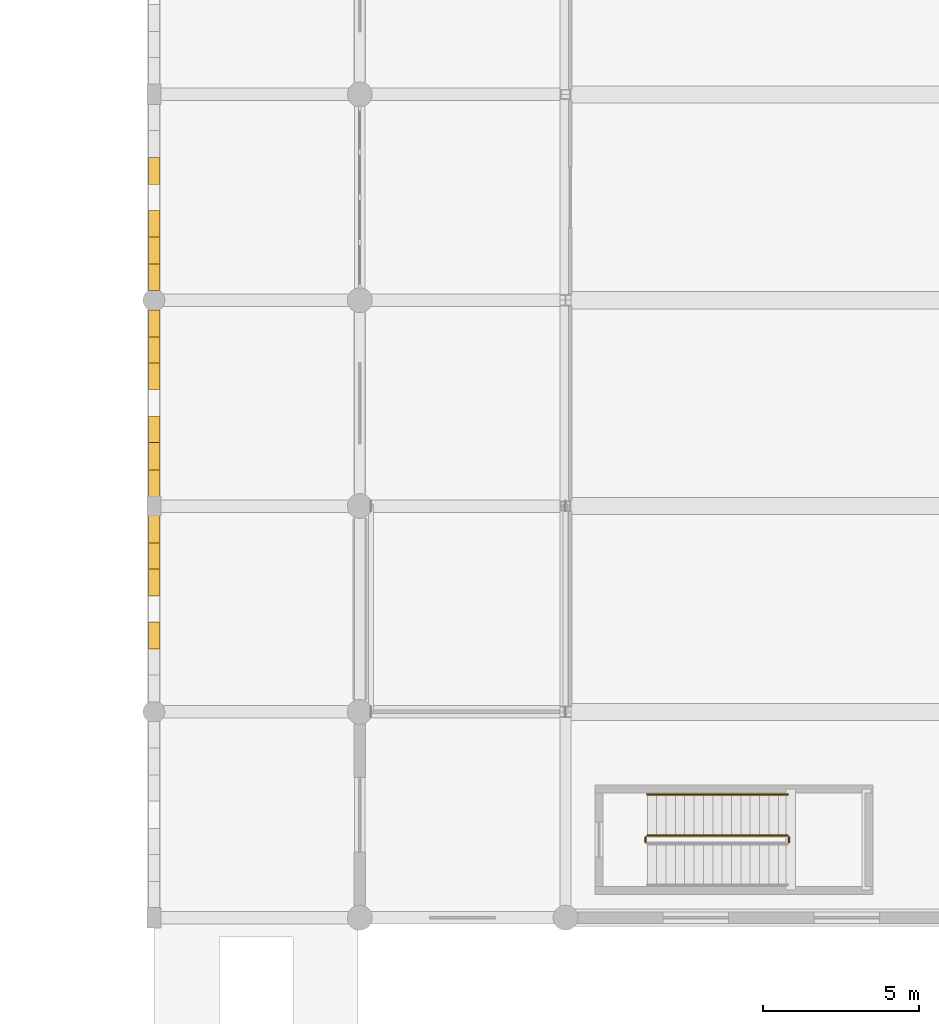
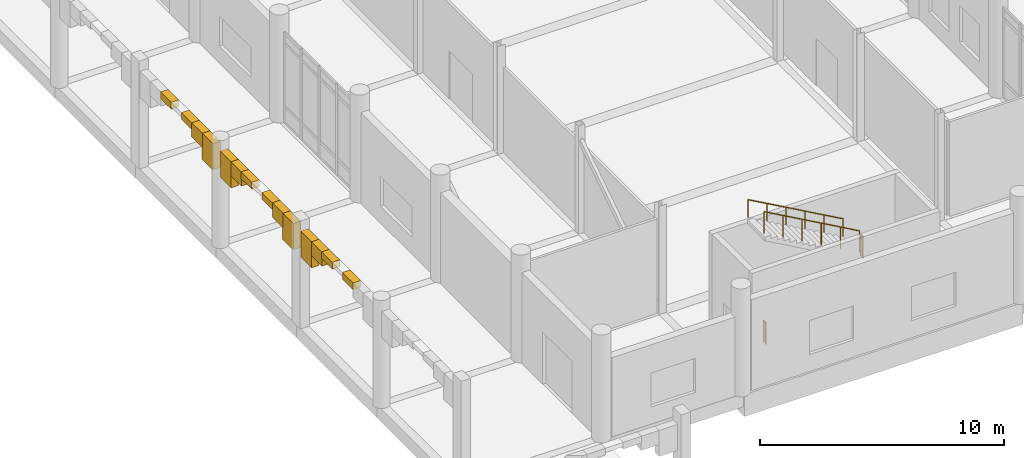
# One storey, part 60 of 72: 14 coverings, 4 railings.
"""IFC4 building model written with IfcOpenShell, lengths in metres."""

from ifc_helpers import new_model, si_unit, direction, frame, origin, origin_2d, place, context, subcontext, project, spatial, rectangle, circle, extrude, material, layer, layer_set, type_object, element, save


model = new_model("IFC4")

# Units and contexts
model_context = context("Model", 3, precision=1e-05, world=origin(), true_north=direction((0.0, 1.0)))
body_context = subcontext(model_context, "Body", "Model", "MODEL_VIEW")
ifc_project = project(units=[si_unit("LENGTHUNIT", "METRE"), si_unit("AREAUNIT", "SQUARE_METRE"), si_unit("VOLUMEUNIT", "CUBIC_METRE"), si_unit("PLANEANGLEUNIT", "RADIAN"), si_unit("MASSUNIT", "GRAM", prefix="KILO")], contexts=[model_context])

# Site, building, storey
site_placement = place(None, origin())
site = spatial("IfcSite", under=ifc_project, at=site_placement, CompositionType="ELEMENT")
building_placement = place(site_placement, origin())
building = spatial("IfcBuilding", under=site, at=building_placement, Name="Dornvale Research Institute", CompositionType="ELEMENT")
storey_placement = place(building_placement, origin())
storey = spatial("IfcBuildingStorey", under=building, at=storey_placement, Name="L00", CompositionType="ELEMENT", Elevation=0.0)

# Coverings
ifc_material_1 = material(Name="Architectural Glazed Terracotta Voussoir Cladding", Category="masonry")
ifc_layer_1 = layer(ifc_material_1, 0.360107421875)
ifc_layer_set_1 = layer_set([ifc_layer_1], Name="Architectural Glazed Terracotta Voussoir Cladding")
covering_type = type_object("IfcCoveringType", Name="Covering_Arcade_ParabolicArch", PredefinedType="CLADDING", material=ifc_layer_set_1)
for number, where, z_axis, x_axis, name in (
    (1, (33.0, 48.648681640625, 4.539306640625), (0.0, 0.0, 1.0), (0.0, 1.0, 0.0), "Dornvale Square parabolic colonnade arch segment #94"),
    (2, (33.0, 50.351318359375, 4.539306640625), (0.0, 0.0, 1.0), (0.0, 1.0, 0.0), "Dornvale Square parabolic colonnade arch segment #96"),
):
    element("IfcCovering", number, at=place(storey_placement, frame(where, z_axis=z_axis, x_axis=x_axis)), inside=storey, type_object=covering_type, Name=name, PredefinedType="CLADDING", context=body_context, shape_type="SweptSolid", body=[
        extrude(rectangle(XDim=0.871337890625, YDim=0.360107421875, at=origin_2d()), origin(), (0.0, 0.0, 1.0), 0.3408203125),
    ])
covering_1_placement = place(storey_placement, frame((33.0, 51.202880859375, 4.1767578125), z_axis=(0.0, 0.0, 1.0), x_axis=(0.0, 1.0, 0.0)))
element("IfcCovering", 3, at=covering_1_placement, inside=storey, type_object=covering_type, Name="Dornvale Square parabolic colonnade arch segment #97", PredefinedType="CLADDING", context=body_context, shape_type="SweptSolid", body=[
    extrude(rectangle(XDim=0.871337890625, YDim=0.360107421875, at=origin_2d()), origin(), (0.0, 0.0, 1.0), 0.703369140625),
])
for number, where, z_axis, x_axis, name in (
    (4, (33.0, 52.05419921875, 3.57275390625), (0.0, 0.0, 1.0), (0.0, 1.0, 0.0), "Dornvale Square parabolic colonnade arch segment #98"),
    (5, (33.0, 53.545654296875, 3.57275390625), (0.0, 0.0, 1.0), (0.0, 1.0, 0.0), "Dornvale Square parabolic colonnade arch segment #99"),
):
    element("IfcCovering", number, at=place(storey_placement, frame(where, z_axis=z_axis, x_axis=x_axis)), inside=storey, type_object=covering_type, Name=name, PredefinedType="CLADDING", context=body_context, shape_type="SweptSolid", body=[
        extrude(rectangle(XDim=0.871337890625, YDim=0.360107421875, at=origin_2d()), origin(), (0.0, 0.0, 1.0), 1.307373046875),
    ])
covering_2_placement = place(storey_placement, frame((33.0, 54.397216796875, 4.1767578125), z_axis=(0.0, 0.0, 1.0), x_axis=(0.0, 1.0, 0.0)))
element("IfcCovering", 6, at=covering_2_placement, inside=storey, type_object=covering_type, Name="Dornvale Square parabolic colonnade arch segment #100", PredefinedType="CLADDING", context=body_context, shape_type="SweptSolid", body=[
    extrude(rectangle(XDim=0.871337890625, YDim=0.360107421875, at=origin_2d()), origin(), (0.0, 0.0, 1.0), 0.703369140625),
])
for number, where, z_axis, x_axis, name in (
    (7, (33.0, 55.24853515625, 4.539306640625), (0.0, 0.0, 1.0), (0.0, 1.0, 0.0), "Dornvale Square parabolic colonnade arch segment #101"),
    (8, (33.0, 56.951416015625, 4.539306640625), (0.0, 0.0, 1.0), (0.0, 1.0, 0.0), "Dornvale Square parabolic colonnade arch segment #103"),
):
    element("IfcCovering", number, at=place(storey_placement, frame(where, z_axis=z_axis, x_axis=x_axis)), inside=storey, type_object=covering_type, Name=name, PredefinedType="CLADDING", context=body_context, shape_type="SweptSolid", body=[
        extrude(rectangle(XDim=0.871337890625, YDim=0.360107421875, at=origin_2d()), origin(), (0.0, 0.0, 1.0), 0.3408203125),
    ])
covering_3_placement = place(storey_placement, frame((33.0, 57.802978515625, 4.1767578125), z_axis=(0.0, 0.0, 1.0), x_axis=(0.0, 1.0, 0.0)))
element("IfcCovering", 9, at=covering_3_placement, inside=storey, type_object=covering_type, Name="Dornvale Square parabolic colonnade arch segment #104", PredefinedType="CLADDING", context=body_context, shape_type="SweptSolid", body=[
    extrude(rectangle(XDim=0.871337890625, YDim=0.360107421875, at=origin_2d()), origin(), (0.0, 0.0, 1.0), 0.703369140625),
])
for number, where, z_axis, x_axis, name in (
    (10, (33.0, 58.654296875, 3.57275390625), (0.0, 0.0, 1.0), (0.0, 1.0, 0.0), "Dornvale Square parabolic colonnade arch segment #105"),
    (11, (33.0, 60.145751953125, 3.57275390625), (0.0, 0.0, 1.0), (0.0, 1.0, 0.0), "Dornvale Square parabolic colonnade arch segment #106"),
):
    element("IfcCovering", number, at=place(storey_placement, frame(where, z_axis=z_axis, x_axis=x_axis)), inside=storey, type_object=covering_type, Name=name, PredefinedType="CLADDING", context=body_context, shape_type="SweptSolid", body=[
        extrude(rectangle(XDim=0.871337890625, YDim=0.360107421875, at=origin_2d()), origin(), (0.0, 0.0, 1.0), 1.307373046875),
    ])
covering_4_placement = place(storey_placement, frame((33.0, 60.9970703125, 4.1767578125), z_axis=(0.0, 0.0, 1.0), x_axis=(0.0, 1.0, 0.0)))
element("IfcCovering", 12, at=covering_4_placement, inside=storey, type_object=covering_type, Name="Dornvale Square parabolic colonnade arch segment #107", PredefinedType="CLADDING", context=body_context, shape_type="SweptSolid", body=[
    extrude(rectangle(XDim=0.871337890625, YDim=0.360107421875, at=origin_2d()), origin(), (0.0, 0.0, 1.0), 0.703369140625),
])
for number, where, z_axis, x_axis, name in (
    (13, (33.0, 61.8486328125, 4.539306640625), (0.0, 0.0, 1.0), (0.0, 1.0, 0.0), "Dornvale Square parabolic colonnade arch segment #108"),
    (14, (33.0, 63.551513671875, 4.539306640625), (0.0, 0.0, 1.0), (0.0, 1.0, 0.0), "Dornvale Square parabolic colonnade arch segment #110"),
):
    element("IfcCovering", number, at=place(storey_placement, frame(where, z_axis=z_axis, x_axis=x_axis)), inside=storey, type_object=covering_type, Name=name, PredefinedType="CLADDING", context=body_context, shape_type="SweptSolid", body=[
        extrude(rectangle(XDim=0.871337890625, YDim=0.360107421875, at=origin_2d()), origin(), (0.0, 0.0, 1.0), 0.3408203125),
    ])

# Railings
ifc_material_2 = material(Name="Galvanized Painted Tubular Steel Stair Rail", Category="steel")
ifc_layer_2 = layer(ifc_material_2, 0.050048828125)
ifc_layer_set_2 = layer_set([ifc_layer_2], Name="Galvanized Painted Tubular Steel Stair Rail")
railing_type_1 = type_object("IfcRailingType", Name="Railing_Stair_Guard_1100", PredefinedType="GUARDRAIL", material=ifc_layer_set_2)
railing_1_placement = place(storey_placement, frame((53.3701171875, 42.02001953125, 2.699951171875)))
element("IfcRailing", 15, at=railing_1_placement, inside=storey, type_object=railing_type_1, Name="L00 ST-7 stair guard 2", PredefinedType="GUARDRAIL", context=body_context, shape_type="SweptSolid", body=[
    extrude(circle(Radius=0.02392578125, at=origin_2d()), frame((0.0, 0.0, 1.076171875), z_axis=(0.0, 1.0, 0.0), x_axis=(-1.0, 0.0, 0.0)), (0.0, 0.0, 1.0), 0.159912109375),
    extrude(circle(Radius=0.02099609375, at=origin_2d()), origin(), (0.0, 0.0, 1.0), 1.052001953125),
    extrude(circle(Radius=0.02099609375, at=origin_2d()), frame((0.0, 0.159912109375, 0.0)), (0.0, 0.0, 1.0), 1.052001953125),
])
railing_2_placement = place(storey_placement, frame((53.320068359375, 42.22998046875, 2.86865234375)))
element("IfcRailing", 16, at=railing_2_placement, inside=storey, type_object=railing_type_1, Name="L00 ST-7 stair guard 3", PredefinedType="GUARDRAIL", context=body_context, shape_type="SweptSolid", body=[
    extrude(circle(Radius=0.02392578125, at=origin_2d()), frame((0.0, 0.0, 1.076171875), z_axis=(-0.871575537125, 0.0, 0.490261239633), x_axis=(0.0, -1.0, 0.0)), (0.0, 0.0, 1.0), 5.1630859375),
    extrude(circle(Radius=0.02099609375, at=origin_2d()), origin(), (0.0, 0.0, 1.0), 1.052001953125),
    extrude(circle(Radius=0.02099609375, at=origin_2d()), frame((-0.89990234375, 0.0, 0.50634765625)), (0.0, 0.0, 1.0), 1.052001953125),
    extrude(circle(Radius=0.02099609375, at=origin_2d()), frame((-1.800048828125, 0.0, 1.012451171875)), (0.0, 0.0, 1.0), 1.052001953125),
    extrude(circle(Radius=0.02099609375, at=origin_2d()), frame((-2.699951171875, 0.0, 1.518798828125)), (0.0, 0.0, 1.0), 1.052001953125),
    extrude(circle(Radius=0.02099609375, at=origin_2d()), frame((-3.60009765625, 0.0, 2.02490234375)), (0.0, 0.0, 1.0), 1.052001953125),
    extrude(circle(Radius=0.02099609375, at=origin_2d()), frame((-4.5, 0.0, 2.53125)), (0.0, 0.0, 1.0), 1.052001953125),
])
railing_3_placement = place(storey_placement, frame((48.77001953125, 42.02001953125, 0.0)))
element("IfcRailing", 17, at=railing_3_placement, inside=storey, type_object=railing_type_1, Name="L00 ST-7 stair guard 4", PredefinedType="GUARDRAIL", context=body_context, shape_type="SweptSolid", body=[
    extrude(circle(Radius=0.02392578125, at=origin_2d()), frame((0.0, 0.0, 1.076171875), z_axis=(0.0, 1.0, 0.0), x_axis=(-1.0, 0.0, 0.0)), (0.0, 0.0, 1.0), 0.159912109375),
    extrude(circle(Radius=0.02099609375, at=origin_2d()), origin(), (0.0, 0.0, 1.0), 1.052001953125),
    extrude(circle(Radius=0.02099609375, at=origin_2d()), frame((0.0, 0.159912109375, 0.0)), (0.0, 0.0, 1.0), 1.052001953125),
])
ifc_material_3 = material(Name="Galvanized Painted Tubular Steel Stair Rail", Category="steel")
ifc_layer_3 = layer(ifc_material_3, 0.044921875)
ifc_layer_set_3 = layer_set([ifc_layer_3], Name="Galvanized Painted Tubular Steel Stair Rail")
railing_type_2 = type_object("IfcRailingType", Name="Railing_Stair_Handrail_900", PredefinedType="HANDRAIL", material=ifc_layer_set_3)
railing_4_placement = place(storey_placement, frame((53.320068359375, 43.550048828125, 2.86865234375)))
element("IfcRailing", 18, at=railing_4_placement, inside=storey, type_object=railing_type_2, Name="L00 ST-7 stair handrail 2", PredefinedType="HANDRAIL", context=body_context, shape_type="SweptSolid", body=[
    extrude(circle(Radius=0.02392578125, at=origin_2d()), frame((0.0, 0.0, 0.8759765625), z_axis=(-0.871575537125, 0.0, 0.490261239633), x_axis=(0.0, -1.0, 0.0)), (0.0, 0.0, 1.0), 5.1630859375),
    extrude(circle(Radius=0.02099609375, at=origin_2d()), origin(), (0.0, 0.0, 1.0), 0.851806640625),
    extrude(circle(Radius=0.02099609375, at=origin_2d()), frame((-0.89990234375, 0.0, 0.50634765625)), (0.0, 0.0, 1.0), 0.851806640625),
    extrude(circle(Radius=0.02099609375, at=origin_2d()), frame((-1.800048828125, 0.0, 1.012451171875)), (0.0, 0.0, 1.0), 0.851806640625),
    extrude(circle(Radius=0.02099609375, at=origin_2d()), frame((-2.699951171875, 0.0, 1.518798828125)), (0.0, 0.0, 1.0), 0.851806640625),
    extrude(circle(Radius=0.02099609375, at=origin_2d()), frame((-3.60009765625, 0.0, 2.02490234375)), (0.0, 0.0, 1.0), 0.851806640625),
    extrude(circle(Radius=0.02099609375, at=origin_2d()), frame((-4.5, 0.0, 2.53125)), (0.0, 0.0, 1.0), 0.851806640625),
])

save(model, "model.ifc")
